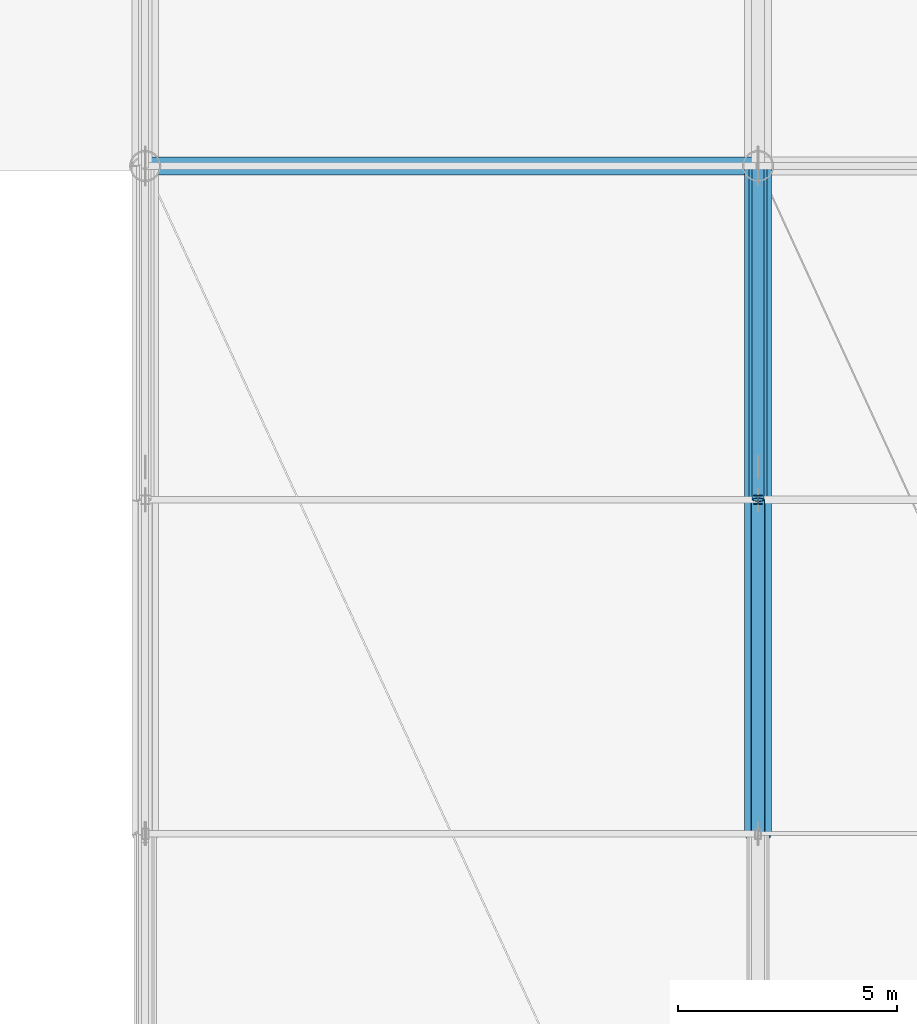
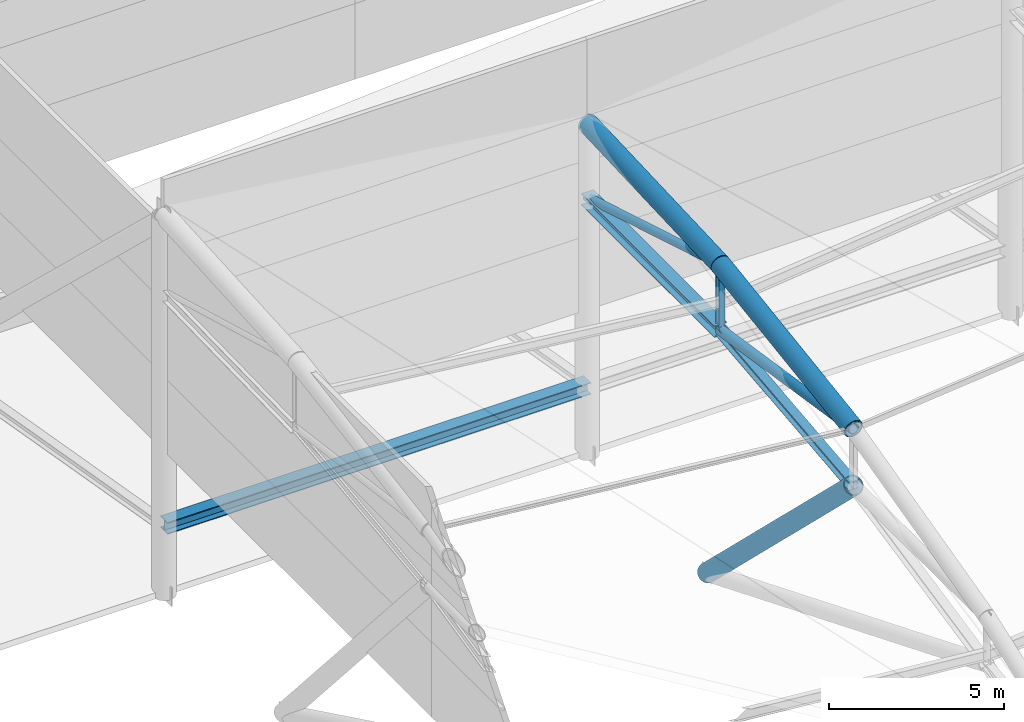
# One storey, part 59 of 113: 8 members, 1 beam.
"""IFC4 building model written with IfcOpenShell, lengths in metres."""

from ifc_helpers import new_model, si_unit, direction, frame, origin, origin_2d, place, context, subcontext, project, spatial, hollow_circle, i_section, extrude, material, material_profile, profile_set, type_object, element, save


model = new_model("IFC4")

# Units and contexts
model_context = context("Model", 3, precision=1e-05, world=origin(), true_north=direction((0.0, 1.0)))
body_context = subcontext(model_context, "Body", "Model", "MODEL_VIEW")
ifc_project = project(units=[si_unit("LENGTHUNIT", "METRE"), si_unit("AREAUNIT", "SQUARE_METRE"), si_unit("VOLUMEUNIT", "CUBIC_METRE"), si_unit("PLANEANGLEUNIT", "RADIAN"), si_unit("MASSUNIT", "GRAM", prefix="KILO")], contexts=[model_context])

# Site, building, storey
site_placement = place(None, origin())
site = spatial("IfcSite", under=ifc_project, at=site_placement, CompositionType="ELEMENT")
building_placement = place(site_placement, origin())
building = spatial("IfcBuilding", under=site, at=building_placement, Name="Linyun Crest Stadium", CompositionType="ELEMENT")
storey_placement = place(building_placement, frame((0.0, 0.0, 26.39990234375)))
storey = spatial("IfcBuildingStorey", under=building, at=storey_placement, Name="L06", CompositionType="ELEMENT", Elevation=26.39990234375)

# Beam
ifc_material_1 = material(Name="Steel Q420C", Category="steel")
ifc_material_profile_1 = material_profile(ifc_material_1, i_section(OverallWidth=0.405029296875, OverallDepth=0.4140625, WebThickness=0.01806640625, FlangeThickness=0.028076171875, at=origin_2d()), Name="HW 414x405")
ifc_profile_set_1 = profile_set([ifc_material_profile_1], Name="Steel Q420C")
beam_type = type_object("IfcBeamType", Name="HB04", PredefinedType="USERDEFINED", material=ifc_profile_set_1)
beam_placement = place(storey_placement, frame((-28.0, 91.5, 2.18505859375), z_axis=(1.0, 0.0, 0.0), x_axis=(0.0, 1.0, 0.0)))
element("IfcBeam", 1, at=beam_placement, inside=storey, type_object=beam_type, Name="Roof Outer compression ring beam HB04 V3 30", ObjectType="RING BEAM", PredefinedType="USERDEFINED", context=body_context, shape_type="SweptSolid", body=[
    extrude(i_section(OverallWidth=0.405029296875, OverallDepth=0.4140625, WebThickness=0.01806640625, FlangeThickness=0.028076171875, at=origin_2d()), origin(), (0.0, 0.0, 1.0), 14.0),
])

# Members
ifc_material_2 = material(Name="Steel Q420C", Category="steel")
ifc_material_profile_2 = material_profile(ifc_material_2, hollow_circle(Radius=0.304931640625, WallThickness=0.030029296875, at=origin_2d()), Name="CHS 610x30")
ifc_profile_set_2 = profile_set([ifc_material_profile_2], Name="Steel Q420C")
member_type_1 = type_object("IfcMemberType", Name="TC02", PredefinedType="CHORD", material=ifc_profile_set_2)
member_1_placement = place(storey_placement, frame((-14.0, 91.5, 11.35009765625), z_axis=(0.0, -0.999087698653, -0.042705624926), x_axis=(1.0, 0.0, 0.0)))
element("IfcMember", 2, at=member_1_placement, inside=storey, type_object=member_type_1, Name="Roof truss top chord TC02 V3 382", PredefinedType="CHORD", context=body_context, shape_type="SweptSolid", body=[
    extrude(hollow_circle(Radius=0.304931640625, WallThickness=0.030029296875, at=origin_2d()), origin(), (0.0, 0.0, 1.0), 7.632080078125),
])
member_2_placement = place(storey_placement, frame((-14.0, 83.875, 11.024169921875), z_axis=(0.0, -0.989290363574, -0.145960873314), x_axis=(1.0, 0.0, 0.0)))
element("IfcMember", 3, at=member_2_placement, inside=storey, type_object=member_type_1, Name="Roof truss top chord TC02 V3 385", PredefinedType="CHORD", context=body_context, shape_type="SweptSolid", body=[
    extrude(hollow_circle(Radius=0.304931640625, WallThickness=0.030029296875, at=origin_2d()), origin(), (0.0, 0.0, 1.0), 7.70751953125),
])
member_3_placement = place(storey_placement, frame((-14.0, 84.625, -0.21484375), z_axis=(0.0, -0.717184139262, 0.696883713679), x_axis=(1.0, 0.0, 0.0)))
element("IfcMember", 4, at=member_3_placement, inside=storey, type_object=member_type_1, Name="Roof arch inclined support strut TC02 V3 397", PredefinedType="CHORD", context=body_context, shape_type="SweptSolid", body=[
    extrude(hollow_circle(Radius=0.304931640625, WallThickness=0.030029296875, at=origin_2d()), origin(), (0.0, 0.0, 1.0), 11.677734375),
])
ifc_material_3 = material(Name="Steel Q355C", Category="steel")
ifc_material_profile_3 = material_profile(ifc_material_3, i_section(OverallWidth=0.300048828125, OverallDepth=0.300048828125, WebThickness=0.010009765625, FlangeThickness=0.014892578125, at=origin_2d()), Name="HW 300x300")
ifc_profile_set_3 = profile_set([ifc_material_profile_3], Name="Steel Q355C")
member_type_2 = type_object("IfcMemberType", Name="TC03", PredefinedType="CHORD", material=ifc_profile_set_3)
member_4_placement = place(storey_placement, frame((-14.0, 83.875, 8.736083984375), z_axis=(0.0, -0.994363945314, -0.106020489815), x_axis=(1.0, 0.0, 0.0)))
element("IfcMember", 5, at=member_4_placement, inside=storey, type_object=member_type_2, Name="Roof truss bottom chord TC03 V3 386", PredefinedType="CHORD", context=body_context, shape_type="SweptSolid", body=[
    extrude(i_section(OverallWidth=0.300048828125, OverallDepth=0.300048828125, WebThickness=0.010009765625, FlangeThickness=0.014892578125, at=origin_2d()), origin(), (0.0, 0.0, 1.0), 7.668212890625),
])
ifc_material_4 = material(Name="Steel Q420C", Category="steel")
ifc_material_profile_4 = material_profile(ifc_material_4, i_section(OverallWidth=0.407958984375, OverallDepth=0.39990234375, WebThickness=0.02099609375, FlangeThickness=0.02099609375, at=origin_2d()), Name="HW 400x408")
ifc_profile_set_4 = profile_set([ifc_material_profile_4], Name="Steel Q420C")
member_type_3 = type_object("IfcMemberType", Name="TC04", PredefinedType="CHORD", material=ifc_profile_set_4)
member_5_placement = place(storey_placement, frame((-14.0, 91.5, 8.75), z_axis=(0.0, -0.999998334598, -0.00182504819), x_axis=(1.0, 0.0, 0.0)))
element("IfcMember", 6, at=member_5_placement, inside=storey, type_object=member_type_3, Name="Roof truss bottom chord TC04 V3 383", PredefinedType="CHORD", context=body_context, shape_type="SweptSolid", body=[
    extrude(i_section(OverallWidth=0.407958984375, OverallDepth=0.39990234375, WebThickness=0.02099609375, FlangeThickness=0.02099609375, at=origin_2d()), origin(), (0.0, 0.0, 1.0), 7.625),
])
ifc_material_5 = material(Name="Steel Q355C", Category="steel")
ifc_material_profile_5 = material_profile(ifc_material_5, hollow_circle(Radius=0.136474609375, WallThickness=0.013916015625, at=origin_2d()), Name="CHS 273x14")
ifc_profile_set_5 = profile_set([ifc_material_profile_5], Name="Steel Q355C")
member_type_4 = type_object("IfcMemberType", Name="TD01", PredefinedType="BRACE", material=ifc_profile_set_5)
member_6_placement = place(storey_placement, frame((-14.0, 91.5, 8.75), z_axis=(0.0, -0.958286139025, 0.285810559203), x_axis=(1.0, 0.0, 0.0)))
element("IfcMember", 7, at=member_6_placement, inside=storey, type_object=member_type_4, Name="Roof truss diagonal TD01 V3 384", PredefinedType="BRACE", context=body_context, shape_type="SweptSolid", body=[
    extrude(hollow_circle(Radius=0.136474609375, WallThickness=0.013916015625, at=origin_2d()), origin(), (0.0, 0.0, 1.0), 7.95703125),
])
ifc_material_6 = material(Name="Steel Q355C", Category="steel")
ifc_material_profile_6 = material_profile(ifc_material_6, hollow_circle(Radius=0.16259765625, WallThickness=0.01611328125, at=origin_2d()), Name="CHS 325x16")
ifc_profile_set_6 = profile_set([ifc_material_profile_6], Name="Steel Q355C")
member_type_5 = type_object("IfcMemberType", Name="TD02", PredefinedType="BRACE", material=ifc_profile_set_6)
member_7_placement = place(storey_placement, frame((-14.0, 83.875, 8.736083984375), z_axis=(0.0, -0.988565558637, 0.150791698301), x_axis=(1.0, 0.0, 0.0)))
element("IfcMember", 8, at=member_7_placement, inside=storey, type_object=member_type_5, Name="Roof truss diagonal TD02 V3 387", PredefinedType="BRACE", context=body_context, shape_type="SweptSolid", body=[
    extrude(hollow_circle(Radius=0.16259765625, WallThickness=0.01611328125, at=origin_2d()), origin(), (0.0, 0.0, 1.0), 7.713134765625),
])
ifc_material_7 = material(Name="Steel Q355C", Category="steel")
ifc_material_profile_7 = material_profile(ifc_material_7, i_section(OverallWidth=0.199951171875, OverallDepth=0.199951171875, WebThickness=0.008056640625, FlangeThickness=0.011962890625, at=origin_2d()), Name="HW 200x200")
ifc_profile_set_7 = profile_set([ifc_material_profile_7], Name="Steel Q355C")
member_type_6 = type_object("IfcMemberType", Name="TV02", PredefinedType="STRUT", material=ifc_profile_set_7)
member_8_placement = place(storey_placement, frame((-14.0, 83.875, 8.736083984375), z_axis=(0.0, 0.0, 1.0), x_axis=(1.0, 0.0, 0.0)))
element("IfcMember", 9, at=member_8_placement, inside=storey, type_object=member_type_6, Name="Roof vertical strut TV02 V3 388", PredefinedType="STRUT", context=body_context, shape_type="SweptSolid", body=[
    extrude(i_section(OverallWidth=0.199951171875, OverallDepth=0.199951171875, WebThickness=0.008056640625, FlangeThickness=0.011962890625, at=origin_2d()), origin(), (0.0, 0.0, 1.0), 2.2880859375),
])

save(model, "model.ifc")
